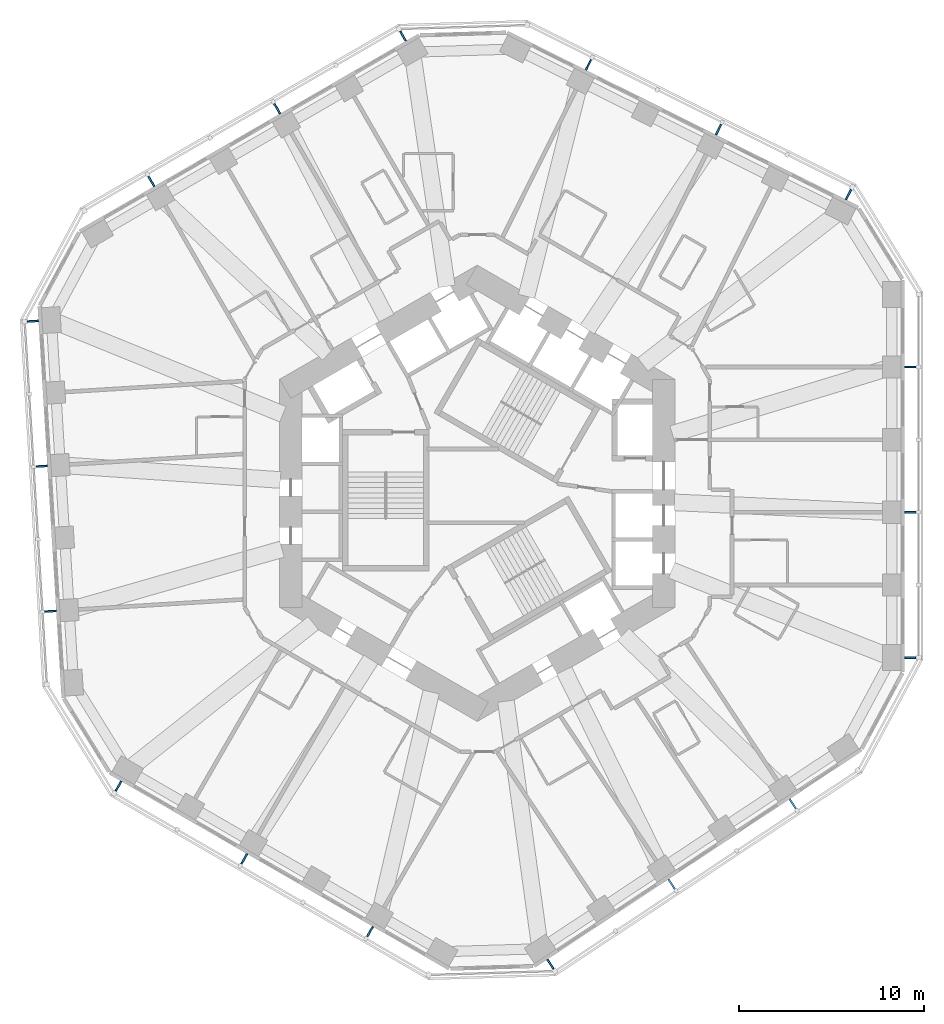
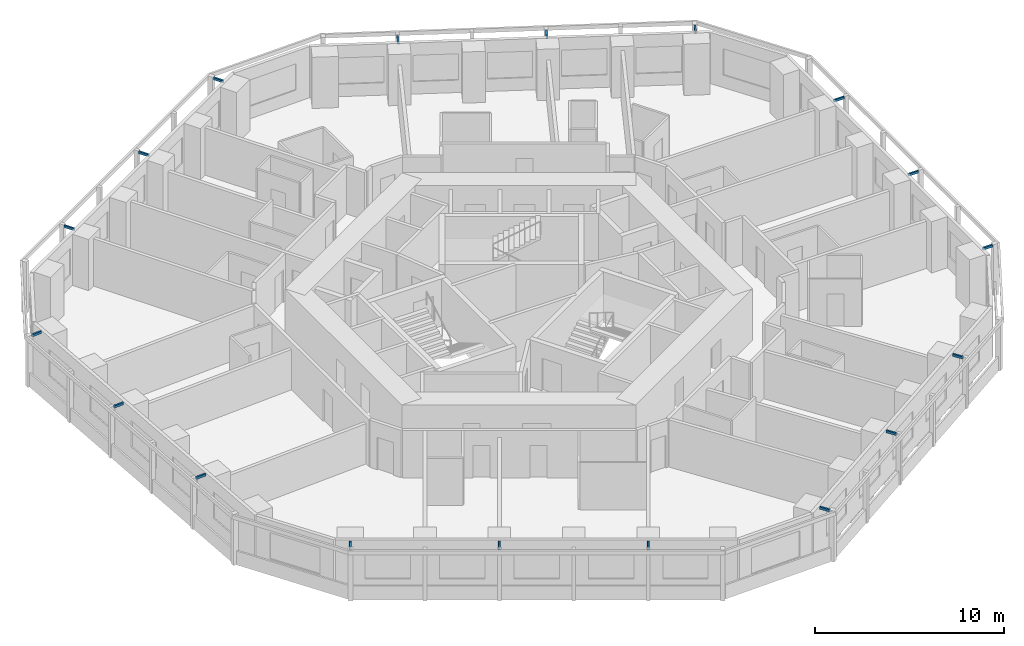
# One storey, part 11 of 12: 18 discrete accessories.
"""IFC4 building model written with IfcOpenShell, lengths in metres."""

from ifc_helpers import new_model, si_unit, direction, frame, origin, origin_2d, place, context, subcontext, project, spatial, rectangle, extrude, material, type_object, element, save


model = new_model("IFC4")

# Units and contexts
model_context = context("Model", 3, precision=1e-05, world=origin(), true_north=direction((0.0, 1.0)))
body_context = subcontext(model_context, "Body", "Model", "MODEL_VIEW")
ifc_project = project(units=[si_unit("LENGTHUNIT", "METRE"), si_unit("AREAUNIT", "SQUARE_METRE"), si_unit("VOLUMEUNIT", "CUBIC_METRE"), si_unit("PLANEANGLEUNIT", "RADIAN"), si_unit("MASSUNIT", "GRAM", prefix="KILO")], contexts=[model_context])

# Site, building, storey
site_placement = place(None, origin())
site = spatial("IfcSite", under=ifc_project, at=site_placement, CompositionType="ELEMENT")
building_placement = place(site_placement, origin())
building = spatial("IfcBuilding", under=site, at=building_placement, Name="Vanh Sen Convention Tower", CompositionType="ELEMENT")
storey_placement = place(building_placement, frame((0.0, 0.0, 83.60009765625)))
storey = spatial("IfcBuildingStorey", under=building, at=storey_placement, Name="L18", CompositionType="ELEMENT", Elevation=83.60009765625)

# Discrete accessories
ifc_material = material(Name="Steel S355", Category="steel")
discrete_accessory_type = type_object("IfcDiscreteAccessoryType", Name="Fin bracket 100 x 150", PredefinedType="BRACKET", material=ifc_material)
discrete_accessory_1_placement = place(storey_placement, frame((23.449951171875, -8.899169921875, 3.099853515625), z_axis=(0.0, 0.0, 1.0), x_axis=(1.0, 0.0, 0.0)))
element("IfcDiscreteAccessory", 1, at=discrete_accessory_1_placement, inside=storey, type_object=discrete_accessory_type, Name="Fin bracket E-1 L18", PredefinedType="BRACKET", context=body_context, shape_type="SweptSolid", body=[
    extrude(rectangle(XDim=0.60009765625, YDim=0.10009765625, at=origin_2d()), origin(), (0.0, 0.0, 1.0), 0.14990234375),
])
for number, where, z_axis, x_axis, name in (
    (2, (23.46240234375, -1.030029296875, 3.099853515625), (0.0, 0.0, 1.0), (1.0, 0.0, 0.0), "Fin bracket E-3 L18"),
    (3, (23.46240234375, 6.839111328125, 3.099853515625), (0.0, 0.0, 1.0), (1.0, 0.0, 0.0), "Fin bracket E-5 L18"),
):
    element("IfcDiscreteAccessory", number, at=place(storey_placement, frame(where, z_axis=z_axis, x_axis=x_axis)), inside=storey, type_object=discrete_accessory_type, Name=name, PredefinedType="BRACKET", context=body_context, shape_type="SweptSolid", body=[
        extrude(rectangle(XDim=0.625, YDim=0.10009765625, at=origin_2d()), origin(), (0.0, 0.0, 1.0), 0.14990234375),
    ])
discrete_accessory_2_placement = place(storey_placement, frame((20.10498046875, 16.178955078125, 3.099853515625), z_axis=(0.0, 0.0, 1.0), x_axis=(0.44619781311, 0.894934361602, 0.0)))
element("IfcDiscreteAccessory", 4, at=discrete_accessory_2_placement, inside=storey, type_object=discrete_accessory_type, Name="Fin bracket NE-1 L18", PredefinedType="BRACKET", context=body_context, shape_type="SweptSolid", body=[
    extrude(rectangle(XDim=0.60009765625, YDim=0.10009765625, at=origin_2d()), origin(), (0.0, 0.0, 1.0), 0.14990234375),
])
for number, where, z_axis, x_axis, name in (
    (5, (13.068359375, 19.701416015625, 3.099853515625), (0.0, 0.0, 1.0), (0.44619781311, 0.894934361602, 0.0), "Fin bracket NE-3 L18"),
    (6, (6.02587890625, 23.212646484375, 3.099853515625), (0.0, 0.0, 1.0), (0.44619781311, 0.894934361602, 0.0), "Fin bracket NE-5 L18"),
):
    element("IfcDiscreteAccessory", number, at=place(storey_placement, frame(where, z_axis=z_axis, x_axis=x_axis)), inside=storey, type_object=discrete_accessory_type, Name=name, PredefinedType="BRACKET", context=body_context, shape_type="SweptSolid", body=[
        extrude(rectangle(XDim=0.625, YDim=0.10009765625, at=origin_2d()), origin(), (0.0, 0.0, 1.0), 0.14990234375),
    ])
discrete_accessory_3_placement = place(storey_placement, frame((-4.01806640625, 24.7578125, 3.099853515625), z_axis=(0.0, 0.0, 1.0), x_axis=(-0.5, 0.866025403784, 0.0)))
element("IfcDiscreteAccessory", 7, at=discrete_accessory_3_placement, inside=storey, type_object=discrete_accessory_type, Name="Fin bracket NW-1 L18", PredefinedType="BRACKET", context=body_context, shape_type="SweptSolid", body=[
    extrude(rectangle(XDim=0.60009765625, YDim=0.10009765625, at=origin_2d()), origin(), (0.0, 0.0, 1.0), 0.14990234375),
])
for number, where, z_axis, x_axis, name in (
    (8, (-10.839111328125, 20.834228515625, 3.099853515625), (0.0, 0.0, 1.0), (-0.5, 0.866025403784, 0.0), "Fin bracket NW-3 L18"),
    (9, (-17.654296875, 16.899658203125, 3.099853515625), (0.0, 0.0, 1.0), (-0.5, 0.866025403784, 0.0), "Fin bracket NW-5 L18"),
):
    element("IfcDiscreteAccessory", number, at=place(storey_placement, frame(where, z_axis=z_axis, x_axis=x_axis)), inside=storey, type_object=discrete_accessory_type, Name=name, PredefinedType="BRACKET", context=body_context, shape_type="SweptSolid", body=[
        extrude(rectangle(XDim=0.625, YDim=0.10009765625, at=origin_2d()), origin(), (0.0, 0.0, 1.0), 0.14990234375),
    ])
discrete_accessory_4_placement = place(storey_placement, frame((-24.06396484375, 9.322021484375, 3.099853515625), z_axis=(0.0, 0.0, 1.0), x_axis=(-0.998134798422, -0.061048539535, 0.0)))
element("IfcDiscreteAccessory", 10, at=discrete_accessory_4_placement, inside=storey, type_object=discrete_accessory_type, Name="Fin bracket W-1 L18", PredefinedType="BRACKET", context=body_context, shape_type="SweptSolid", body=[
    extrude(rectangle(XDim=0.60009765625, YDim=0.10009765625, at=origin_2d()), origin(), (0.0, 0.0, 1.0), 0.14990234375),
])
for number, where, z_axis, x_axis, name in (
    (11, (-23.595947265625, 1.466796875, 3.099853515625), (0.0, 0.0, 1.0), (-0.998134798422, -0.061048539535, 0.0), "Fin bracket W-3 L18"),
    (12, (-23.115478515625, -6.3876953125, 3.099853515625), (0.0, 0.0, 1.0), (-0.998134798422, -0.061048539535, 0.0), "Fin bracket W-5 L18"),
):
    element("IfcDiscreteAccessory", number, at=place(storey_placement, frame(where, z_axis=z_axis, x_axis=x_axis)), inside=storey, type_object=discrete_accessory_type, Name=name, PredefinedType="BRACKET", context=body_context, shape_type="SweptSolid", body=[
        extrude(rectangle(XDim=0.625, YDim=0.10009765625, at=origin_2d()), origin(), (0.0, 0.0, 1.0), 0.14990234375),
    ])
discrete_accessory_5_placement = place(storey_placement, frame((-19.431884765625, -15.858642578125, 3.099853515625), z_axis=(0.0, 0.0, 1.0), x_axis=(-0.5, -0.866025403784, 0.0)))
element("IfcDiscreteAccessory", 13, at=discrete_accessory_5_placement, inside=storey, type_object=discrete_accessory_type, Name="Fin bracket SW-1 L18", PredefinedType="BRACKET", context=body_context, shape_type="SweptSolid", body=[
    extrude(rectangle(XDim=0.60009765625, YDim=0.10009765625, at=origin_2d()), origin(), (0.0, 0.0, 1.0), 0.14990234375),
])
for number, where, z_axis, x_axis, name in (
    (14, (-12.623291015625, -19.80419921875, 3.099853515625), (0.0, 0.0, 1.0), (-0.5, -0.866025403784, 0.0), "Fin bracket SW-3 L18"),
    (15, (-5.808349609375, -23.73876953125, 3.099853515625), (0.0, 0.0, 1.0), (-0.5, -0.866025403784, 0.0), "Fin bracket SW-5 L18"),
):
    element("IfcDiscreteAccessory", number, at=place(storey_placement, frame(where, z_axis=z_axis, x_axis=x_axis)), inside=storey, type_object=discrete_accessory_type, Name=name, PredefinedType="BRACKET", context=body_context, shape_type="SweptSolid", body=[
        extrude(rectangle(XDim=0.625, YDim=0.10009765625, at=origin_2d()), origin(), (0.0, 0.0, 1.0), 0.14990234375),
    ])
discrete_accessory_6_placement = place(storey_placement, frame((3.958740234375, -25.5009765625, 3.099853515625), z_axis=(0.0, 0.0, 1.0), x_axis=(0.551936985312, -0.833885822067, 0.0)))
element("IfcDiscreteAccessory", 16, at=discrete_accessory_6_placement, inside=storey, type_object=discrete_accessory_type, Name="Fin bracket SE-1 L18", PredefinedType="BRACKET", context=body_context, shape_type="SweptSolid", body=[
    extrude(rectangle(XDim=0.60009765625, YDim=0.10009765625, at=origin_2d()), origin(), (0.0, 0.0, 1.0), 0.14990234375),
])
for number, where, z_axis, x_axis, name in (
    (17, (10.527587890625, -21.168212890625, 3.099853515625), (0.0, 0.0, 1.0), (0.551936985312, -0.833885822067, 0.0), "Fin bracket SE-3 L18"),
    (18, (17.089599609375, -16.824951171875, 3.099853515625), (0.0, 0.0, 1.0), (0.551936985312, -0.833885822067, 0.0), "Fin bracket SE-5 L18"),
):
    element("IfcDiscreteAccessory", number, at=place(storey_placement, frame(where, z_axis=z_axis, x_axis=x_axis)), inside=storey, type_object=discrete_accessory_type, Name=name, PredefinedType="BRACKET", context=body_context, shape_type="SweptSolid", body=[
        extrude(rectangle(XDim=0.625, YDim=0.10009765625, at=origin_2d()), origin(), (0.0, 0.0, 1.0), 0.14990234375),
    ])

save(model, "model.ifc")
